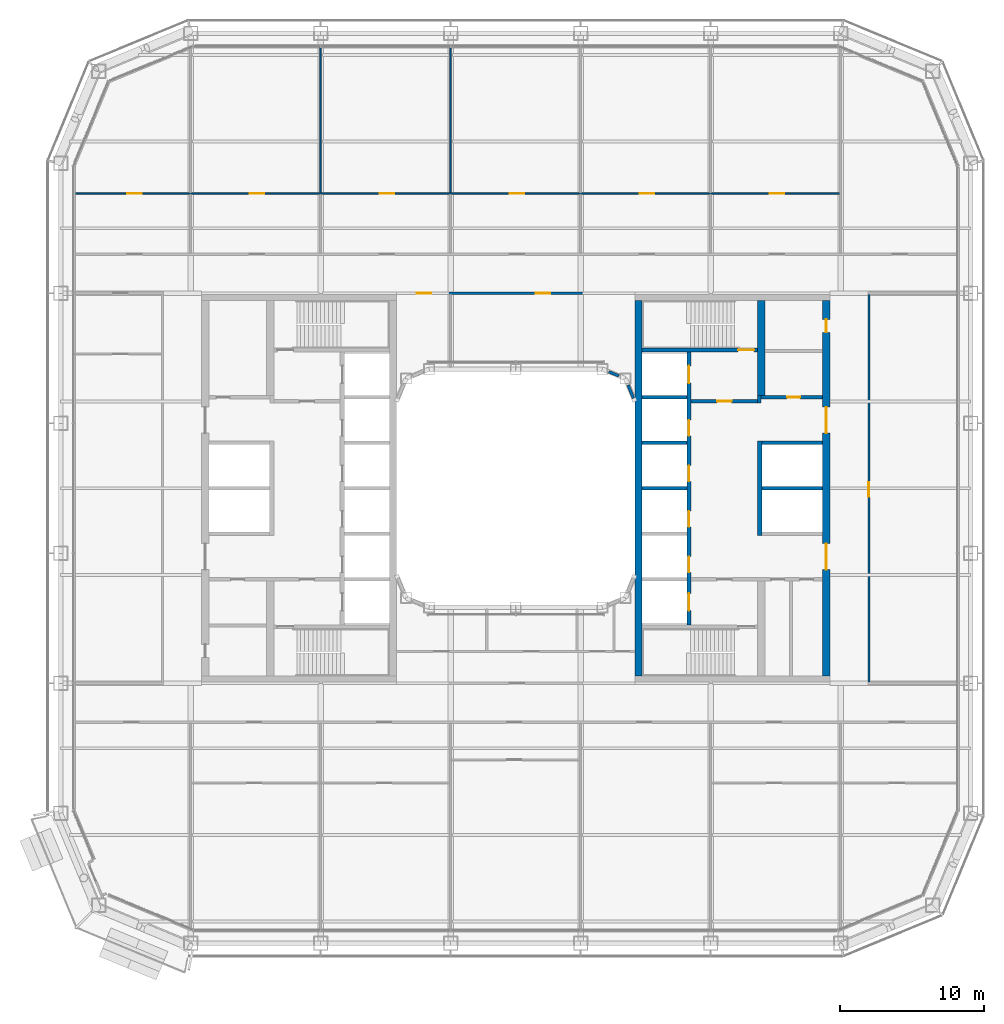
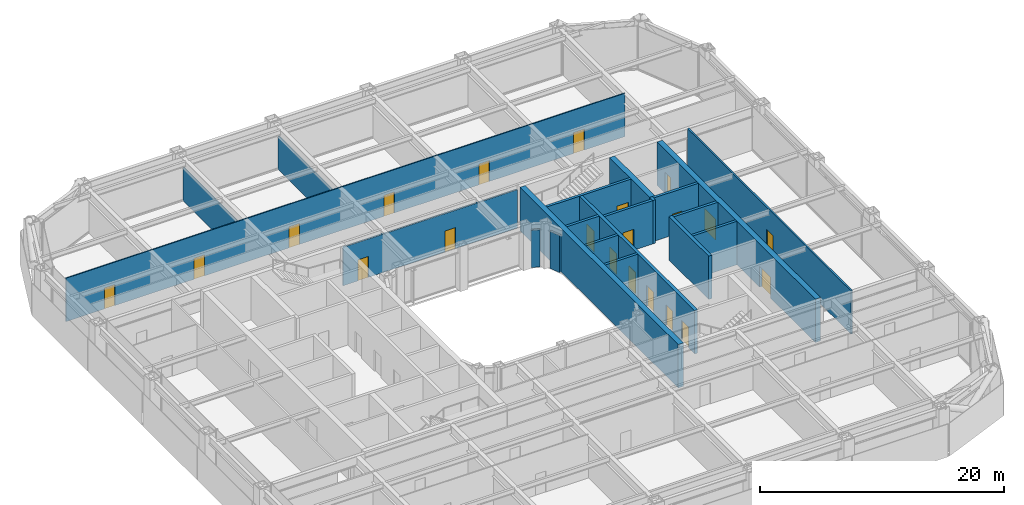
# One storey, part 16 of 27: 21 doors, 21 walls, 21 openings.
"""IFC4 building model written with IfcOpenShell, lengths in metres."""

from ifc_helpers import new_model, si_unit, direction, frame, frame_2d, origin, place, context, subcontext, project, spatial, rectangle, extrude, material, layer, layer_set, type_object, element, fill, save


model = new_model("IFC4")

# Units and contexts
model_context = context("Model", 3, precision=1e-05, world=origin(), true_north=direction((0.0, 1.0)))
body_context = subcontext(model_context, "Body", "Model", "MODEL_VIEW")
ifc_project = project(units=[si_unit("LENGTHUNIT", "METRE"), si_unit("AREAUNIT", "SQUARE_METRE"), si_unit("VOLUMEUNIT", "CUBIC_METRE"), si_unit("PLANEANGLEUNIT", "RADIAN"), si_unit("MASSUNIT", "GRAM", prefix="KILO")], contexts=[model_context])

# Site, building, storey
site_placement = place(None, origin())
site = spatial("IfcSite", under=ifc_project, at=site_placement, CompositionType="ELEMENT")
building_placement = place(site_placement, origin())
building = spatial("IfcBuilding", under=site, at=building_placement, Name="Siwar Civic Tower", CompositionType="ELEMENT")
storey_placement = place(building_placement, frame((0.0, 0.0, 71.699951171875)))
storey = spatial("IfcBuildingStorey", under=building, at=storey_placement, Name="L15", CompositionType="ELEMENT", Elevation=71.699951171875)

# Wall, opening, door
ifc_material_1 = material(Name="Concrete C60/75", Category="concrete")
ifc_layer_1 = layer(ifc_material_1, 0.25)
ifc_layer_set_1 = layer_set([ifc_layer_1], Name="Concrete C60/75")
wall_type_1 = type_object("IfcWallType", Name="CORE-WALL-RC250", PredefinedType="SHEAR", material=ifc_layer_set_1)
wall_1_placement = place(storey_placement, frame((12.14990234375, 6.02490234375, 0.0), z_axis=(0.0, 0.0, 1.0), x_axis=(1.0, 0.0, 0.0)))
wall_1 = element("IfcWall", 1, at=wall_1_placement, inside=storey, type_object=wall_type_1, Name="Core wall E", PredefinedType="SHEAR", context=body_context, shape_type="SweptSolid", body=[
    extrude(rectangle(XDim=4.60009765625, YDim=0.25, at=frame_2d((2.300048828125, 0.0))), origin(), (0.0, 0.0, 1.0), 4.35009765625),
])
opening_1_placement = place(wall_1_placement, frame((1.800048828125, 0.0, 0.0)))
opening_1 = element("IfcOpeningElement", 2, at=opening_1_placement, cuts=wall_1, Name="Opening L15-CE01", PredefinedType="OPENING", context=body_context, shape_type="SweptSolid", body=[
    extrude(rectangle(XDim=1.0, YDim=2.10009765625, at=frame_2d((0.5, 1.050048828125))), frame((0.0, 0.135009765625, 0.0), z_axis=(0.0, -1.0, 0.0), x_axis=(1.0, 0.0, 0.0)), (0.0, 0.0, 1.0), 0.27001953125),
])
ifc_material_2 = material(Name="Steel door leaf", Category="steel")
door_type_1 = type_object("IfcDoorType", Name="CORE-DOOR-FD30S", OperationType="SINGLE_SWING_LEFT", PredefinedType="DOOR", material=ifc_material_2)
door_1_placement = place(opening_1_placement, origin())
door_1 = element("IfcDoor", 3, at=door_1_placement, inside=storey, type_object=door_type_1, Name="Firefighting lobby door L15-CE01", OperationType="SINGLE_SWING_RIGHT", OverallHeight=2.10009765625, OverallWidth=1.0, PredefinedType="DOOR", context=body_context, shape_type="SweptSolid", body=[
    extrude(rectangle(XDim=1.0, YDim=2.10009765625, at=frame_2d((0.5, 1.050048828125))), frame((0.0, 0.02490234375, 0.0), z_axis=(0.0, -1.0, 0.0), x_axis=(1.0, 0.0, 0.0)), (0.0, 0.0, 1.0), 0.050048828125),
])
fill(opening_1, door_1)

# Wall
wall_2_placement = place(storey_placement, frame((16.875, 5.89990234375, 0.0), z_axis=(0.0, 0.0, 1.0), x_axis=(0.0, 1.0, 0.0)))
element("IfcWall", 4, at=wall_2_placement, inside=storey, type_object=wall_type_1, Name="Core wall E", PredefinedType="SHEAR", context=body_context, shape_type="SweptSolid", body=[
    extrude(rectangle(XDim=0.525146484375, YDim=0.25, at=frame_2d((0.2626953125, 0.0))), origin(), (0.0, 0.0, 1.0), 4.35009765625),
])

# Wall, opening, door
wall_3_placement = place(storey_placement, frame((17.0, 6.300048828125, 0.0), z_axis=(0.0, 0.0, 1.0), x_axis=(1.0, 0.0, 0.0)))
wall_3 = element("IfcWall", 5, at=wall_3_placement, inside=storey, type_object=wall_type_1, Name="Core wall E", PredefinedType="SHEAR", context=body_context, shape_type="SweptSolid", body=[
    extrude(rectangle(XDim=4.25, YDim=0.25, at=frame_2d((2.125, 0.0))), origin(), (0.0, 0.0, 1.0), 4.35009765625),
])
opening_2_placement = place(wall_3_placement, frame((1.800048828125, 0.0, 0.0)))
opening_2 = element("IfcOpeningElement", 6, at=opening_2_placement, cuts=wall_3, Name="Opening L15-CE13", PredefinedType="OPENING", context=body_context, shape_type="SweptSolid", body=[
    extrude(rectangle(XDim=0.89990234375, YDim=2.10009765625, at=frame_2d((0.449951171875, 1.050048828125))), frame((0.0, 0.135009765625, 0.0), z_axis=(0.0, -1.0, 0.0), x_axis=(1.0, 0.0, 0.0)), (0.0, 0.0, 1.0), 0.27001953125),
])
ifc_material_3 = material(Name="Steel door leaf", Category="steel")
door_type_2 = type_object("IfcDoorType", Name="CORE-DOOR-ROOM", OperationType="SINGLE_SWING_LEFT", PredefinedType="DOOR", material=ifc_material_3)
door_2_placement = place(opening_2_placement, origin())
door_2 = element("IfcDoor", 7, at=door_2_placement, inside=storey, type_object=door_type_2, Name="Core room door L15-CE13", OperationType="SINGLE_SWING_RIGHT", OverallHeight=2.10009765625, OverallWidth=0.89990234375, PredefinedType="DOOR", context=body_context, shape_type="SweptSolid", body=[
    extrude(rectangle(XDim=0.89990234375, YDim=2.10009765625, at=frame_2d((0.449951171875, 1.050048828125))), frame((0.0, 0.02490234375, 0.0), z_axis=(0.0, -1.0, 0.0), x_axis=(1.0, 0.0, 0.0)), (0.0, 0.0, 1.0), 0.050048828125),
])
fill(opening_2, door_2)

# Walls
for number, where, z_axis, x_axis, name in (
    (8, (17.050048828125, 0.0, 0.0), (0.0, 0.0, 1.0), (1.0, 0.0, 0.0), "Core wall E"),
    (9, (17.050048828125, 3.14990234375, 0.0), (0.0, 0.0, 1.0), (1.0, 0.0, 0.0), "Core wall E"),
):
    element("IfcWall", number, at=place(storey_placement, frame(where, z_axis=z_axis, x_axis=x_axis)), inside=storey, type_object=wall_type_1, Name=name, PredefinedType="SHEAR", context=body_context, shape_type="SweptSolid", body=[
        extrude(rectangle(XDim=4.199951171875, YDim=0.25, at=frame_2d((2.10009765625, 0.0))), origin(), (0.0, 0.0, 1.0), 4.35009765625),
    ])
for number, where, z_axis, x_axis, name in (
    (10, (8.75, 0.0, 0.0), (0.0, 0.0, 1.0), (1.0, 0.0, 0.0), "Core wall E"),
    (11, (8.75, 3.14990234375, 0.0), (0.0, 0.0, 1.0), (1.0, 0.0, 0.0), "Core wall E"),
    (12, (8.75, 6.300048828125, 0.0), (0.0, 0.0, 1.0), (1.0, 0.0, 0.0), "Core wall E"),
):
    element("IfcWall", number, at=place(storey_placement, frame(where, z_axis=z_axis, x_axis=x_axis)), inside=storey, type_object=wall_type_1, Name=name, PredefinedType="SHEAR", context=body_context, shape_type="SweptSolid", body=[
        extrude(rectangle(XDim=3.10009765625, YDim=0.25, at=frame_2d((1.550048828125, 0.0))), origin(), (0.0, 0.0, 1.0), 4.35009765625),
    ])

# Wall, opening, door
wall_4_placement = place(storey_placement, frame((8.75, 9.574951171875, 0.0), z_axis=(0.0, 0.0, 1.0), x_axis=(1.0, 0.0, 0.0)))
wall_4 = element("IfcWall", 13, at=wall_4_placement, inside=storey, type_object=wall_type_1, Name="Core wall E", PredefinedType="SHEAR", context=body_context, shape_type="SweptSolid", body=[
    extrude(rectangle(XDim=8.0, YDim=0.25, at=frame_2d((4.0, 0.0))), origin(), (0.0, 0.0, 1.0), 4.35009765625),
])
opening_3_placement = place(wall_4_placement, frame((6.64990234375, 0.0, 0.0)))
opening_3 = element("IfcOpeningElement", 14, at=opening_3_placement, cuts=wall_4, Name="Opening L15-CE03", PredefinedType="OPENING", context=body_context, shape_type="SweptSolid", body=[
    extrude(rectangle(XDim=1.10009765625, YDim=2.10009765625, at=frame_2d((0.550048828125, 1.050048828125))), frame((0.0, 0.135009765625, 0.0), z_axis=(0.0, -1.0, 0.0), x_axis=(1.0, 0.0, 0.0)), (0.0, 0.0, 1.0), 0.27001953125),
])
ifc_material_4 = material(Name="Steel door leaf", Category="steel")
door_type_3 = type_object("IfcDoorType", Name="CORE-DOOR-FD60S", OperationType="SINGLE_SWING_LEFT", PredefinedType="DOOR", material=ifc_material_4)
door_3_placement = place(opening_3_placement, origin())
door_3 = element("IfcDoor", 15, at=door_3_placement, inside=storey, type_object=door_type_3, Name="Stair door L15-CE03", OperationType="SINGLE_SWING_LEFT", OverallHeight=2.10009765625, OverallWidth=1.10009765625, PredefinedType="DOOR", context=body_context, shape_type="SweptSolid", body=[
    extrude(rectangle(XDim=1.10009765625, YDim=2.10009765625, at=frame_2d((0.550048828125, 1.050048828125))), frame((0.0, 0.02490234375, 0.0), z_axis=(0.0, -1.0, 0.0), x_axis=(1.0, 0.0, 0.0)), (0.0, 0.0, 1.0), 0.050048828125),
])
fill(opening_3, door_3)

# Wall, openings, doors
ifc_material_5 = material(Name="Concrete C60/75", Category="concrete")
ifc_layer_2 = layer(ifc_material_5, 0.300048828125)
ifc_layer_set_2 = layer_set([ifc_layer_2], Name="Concrete C60/75")
wall_type_2 = type_object("IfcWallType", Name="CORE-WALL-RC300", PredefinedType="SHEAR", material=ifc_layer_set_2)
wall_5_placement = place(storey_placement, frame((12.0, -9.449951171875, 0.0), z_axis=(0.0, 0.0, 1.0), x_axis=(0.0, 1.0, 0.0)))
wall_5 = element("IfcWall", 16, at=wall_5_placement, inside=storey, type_object=wall_type_2, Name="Core wall E", PredefinedType="SHEAR", context=body_context, shape_type="SweptSolid", body=[
    extrude(rectangle(XDim=18.89990234375, YDim=0.300048828125, at=frame_2d((9.449951171875, 0.0))), origin(), (0.0, 0.0, 1.0), 4.35009765625),
])
opening_4_placement = place(wall_5_placement, frame((3.625, 0.0, 0.0)))
opening_4 = element("IfcOpeningElement", 17, at=opening_4_placement, cuts=wall_5, Name="Opening L15-CE07", PredefinedType="OPENING", context=body_context, shape_type="SweptSolid", body=[
    extrude(rectangle(XDim=1.10009765625, YDim=2.10009765625, at=frame_2d((0.550048828125, 1.050048828125))), frame((0.0, 0.16015625, 0.0), z_axis=(0.0, -1.0, 0.0), x_axis=(1.0, 0.0, 0.0)), (0.0, 0.0, 1.0), 0.320068359375),
])
opening_5_placement = place(wall_5_placement, frame((6.77490234375, 0.0, 0.0)))
opening_5 = element("IfcOpeningElement", 18, at=opening_5_placement, cuts=wall_5, Name="Opening L15-CE08", PredefinedType="OPENING", context=body_context, shape_type="SweptSolid", body=[
    extrude(rectangle(XDim=1.10009765625, YDim=2.10009765625, at=frame_2d((0.550048828125, 1.050048828125))), frame((0.0, 0.16015625, 0.0), z_axis=(0.0, -1.0, 0.0), x_axis=(1.0, 0.0, 0.0)), (0.0, 0.0, 1.0), 0.320068359375),
])
opening_6_placement = place(wall_5_placement, frame((9.925048828125, 0.0, 0.0)))
opening_6 = element("IfcOpeningElement", 19, at=opening_6_placement, cuts=wall_5, Name="Opening L15-CE09", PredefinedType="OPENING", context=body_context, shape_type="SweptSolid", body=[
    extrude(rectangle(XDim=1.10009765625, YDim=2.10009765625, at=frame_2d((0.550048828125, 1.050048828125))), frame((0.0, 0.16015625, 0.0), z_axis=(0.0, -1.0, 0.0), x_axis=(1.0, 0.0, 0.0)), (0.0, 0.0, 1.0), 0.320068359375),
])
opening_7_placement = place(wall_5_placement, frame((13.074951171875, 0.0, 0.0)))
opening_7 = element("IfcOpeningElement", 20, at=opening_7_placement, cuts=wall_5, Name="Opening L15-CE10", PredefinedType="OPENING", context=body_context, shape_type="SweptSolid", body=[
    extrude(rectangle(XDim=1.10009765625, YDim=2.10009765625, at=frame_2d((0.550048828125, 1.050048828125))), frame((0.0, 0.16015625, 0.0), z_axis=(0.0, -1.0, 0.0), x_axis=(1.0, 0.0, 0.0)), (0.0, 0.0, 1.0), 0.320068359375),
])
opening_8_placement = place(wall_5_placement, frame((16.72509765625, 0.0, 0.0)))
opening_8 = element("IfcOpeningElement", 21, at=opening_8_placement, cuts=wall_5, Name="Opening L15-CE11", PredefinedType="OPENING", context=body_context, shape_type="SweptSolid", body=[
    extrude(rectangle(XDim=1.199951171875, YDim=2.10009765625, at=frame_2d((0.60009765625, 1.050048828125))), frame((0.0, 0.16015625, 0.0), z_axis=(0.0, -1.0, 0.0), x_axis=(1.0, 0.0, 0.0)), (0.0, 0.0, 1.0), 0.320068359375),
])
opening_9_placement = place(wall_5_placement, frame((0.97509765625, 0.0, 0.0)))
opening_9 = element("IfcOpeningElement", 22, at=opening_9_placement, cuts=wall_5, Name="Opening L15-CE12", PredefinedType="OPENING", context=body_context, shape_type="SweptSolid", body=[
    extrude(rectangle(XDim=1.199951171875, YDim=2.10009765625, at=frame_2d((0.60009765625, 1.050048828125))), frame((0.0, 0.16015625, 0.0), z_axis=(0.0, -1.0, 0.0), x_axis=(1.0, 0.0, 0.0)), (0.0, 0.0, 1.0), 0.320068359375),
])
ifc_material_6 = material(Name="Steel door leaf", Category="steel")
door_type_4 = type_object("IfcDoorType", Name="CORE-DOOR-LD", OperationType="DOUBLE_DOOR_SLIDING", PredefinedType="DOOR", material=ifc_material_6)
door_4_placement = place(opening_4_placement, origin())
door_4 = element("IfcDoor", 23, at=door_4_placement, inside=storey, type_object=door_type_4, Name="Landing door LR5 L15-CE07", OperationType="DOUBLE_DOOR_SLIDING", OverallHeight=2.10009765625, OverallWidth=1.10009765625, PredefinedType="DOOR", context=body_context, shape_type="SweptSolid", body=[
    extrude(rectangle(XDim=1.10009765625, YDim=2.10009765625, at=frame_2d((0.550048828125, 1.050048828125))), frame((0.0, 0.02490234375, 0.0), z_axis=(0.0, -1.0, 0.0), x_axis=(1.0, 0.0, 0.0)), (0.0, 0.0, 1.0), 0.050048828125),
])
fill(opening_4, door_4)
door_5_placement = place(opening_5_placement, origin())
door_5 = element("IfcDoor", 24, at=door_5_placement, inside=storey, type_object=door_type_4, Name="Landing door LR6 L15-CE08", OperationType="DOUBLE_DOOR_SLIDING", OverallHeight=2.10009765625, OverallWidth=1.10009765625, PredefinedType="DOOR", context=body_context, shape_type="SweptSolid", body=[
    extrude(rectangle(XDim=1.10009765625, YDim=2.10009765625, at=frame_2d((0.550048828125, 1.050048828125))), frame((0.0, 0.02490234375, 0.0), z_axis=(0.0, -1.0, 0.0), x_axis=(1.0, 0.0, 0.0)), (0.0, 0.0, 1.0), 0.050048828125),
])
fill(opening_5, door_5)
door_6_placement = place(opening_6_placement, origin())
door_6 = element("IfcDoor", 25, at=door_6_placement, inside=storey, type_object=door_type_4, Name="Landing door LR7 L15-CE09", OperationType="DOUBLE_DOOR_SLIDING", OverallHeight=2.10009765625, OverallWidth=1.10009765625, PredefinedType="DOOR", context=body_context, shape_type="SweptSolid", body=[
    extrude(rectangle(XDim=1.10009765625, YDim=2.10009765625, at=frame_2d((0.550048828125, 1.050048828125))), frame((0.0, 0.02490234375, 0.0), z_axis=(0.0, -1.0, 0.0), x_axis=(1.0, 0.0, 0.0)), (0.0, 0.0, 1.0), 0.050048828125),
])
fill(opening_6, door_6)
door_7_placement = place(opening_7_placement, origin())
door_7 = element("IfcDoor", 26, at=door_7_placement, inside=storey, type_object=door_type_4, Name="Landing door LR8 L15-CE10", OperationType="DOUBLE_DOOR_SLIDING", OverallHeight=2.10009765625, OverallWidth=1.10009765625, PredefinedType="DOOR", context=body_context, shape_type="SweptSolid", body=[
    extrude(rectangle(XDim=1.10009765625, YDim=2.10009765625, at=frame_2d((0.550048828125, 1.050048828125))), frame((0.0, 0.02490234375, 0.0), z_axis=(0.0, -1.0, 0.0), x_axis=(1.0, 0.0, 0.0)), (0.0, 0.0, 1.0), 0.050048828125),
])
fill(opening_7, door_7)
ifc_material_7 = material(Name="Steel door leaf", Category="steel")
door_type_5 = type_object("IfcDoorType", Name="CORE-DOOR-LDW", OperationType="DOUBLE_DOOR_SLIDING", PredefinedType="DOOR", material=ifc_material_7)
door_8_placement = place(opening_8_placement, origin())
door_8 = element("IfcDoor", 27, at=door_8_placement, inside=storey, type_object=door_type_5, Name="Landing door FF2 L15-CE11", OperationType="DOUBLE_DOOR_SLIDING", OverallHeight=2.10009765625, OverallWidth=1.199951171875, PredefinedType="DOOR", context=body_context, shape_type="SweptSolid", body=[
    extrude(rectangle(XDim=1.199951171875, YDim=2.10009765625, at=frame_2d((0.60009765625, 1.050048828125))), frame((0.0, 0.02490234375, 0.0), z_axis=(0.0, -1.0, 0.0), x_axis=(1.0, 0.0, 0.0)), (0.0, 0.0, 1.0), 0.050048828125),
])
fill(opening_8, door_8)
door_9_placement = place(opening_9_placement, origin())
door_9 = element("IfcDoor", 28, at=door_9_placement, inside=storey, type_object=door_type_5, Name="Landing door SV2 L15-CE12", OperationType="DOUBLE_DOOR_SLIDING", OverallHeight=2.10009765625, OverallWidth=1.199951171875, PredefinedType="DOOR", context=body_context, shape_type="SweptSolid", body=[
    extrude(rectangle(XDim=1.199951171875, YDim=2.10009765625, at=frame_2d((0.60009765625, 1.050048828125))), frame((0.0, 0.02490234375, 0.0), z_axis=(0.0, -1.0, 0.0), x_axis=(1.0, 0.0, 0.0)), (0.0, 0.0, 1.0), 0.050048828125),
])
fill(opening_9, door_9)

# Wall
wall_6_placement = place(storey_placement, frame((16.89990234375, -3.27490234375, 0.0), z_axis=(0.0, 0.0, 1.0), x_axis=(0.0, 1.0, 0.0)))
element("IfcWall", 29, at=wall_6_placement, inside=storey, type_object=wall_type_2, Name="Core wall E", PredefinedType="SHEAR", context=body_context, shape_type="SweptSolid", body=[
    extrude(rectangle(XDim=6.5498046875, YDim=0.300048828125, at=frame_2d((3.27490234375, 0.0))), origin(), (0.0, 0.0, 1.0), 4.35009765625),
])

# Wall, openings, doors
ifc_material_8 = material(Name="Concrete C60/75", Category="concrete")
ifc_layer_3 = layer(ifc_material_8, 0.5)
ifc_layer_set_3 = layer_set([ifc_layer_3], Name="Concrete C60/75")
wall_type_3 = type_object("IfcWallType", Name="CORE-WALL-RC500", PredefinedType="SHEAR", material=ifc_layer_set_3)
wall_7_placement = place(storey_placement, frame((21.5, -13.0, 0.0), z_axis=(0.0, 0.0, 1.0), x_axis=(0.0, 1.0, 0.0)))
wall_7 = element("IfcWall", 30, at=wall_7_placement, inside=storey, type_object=wall_type_3, Name="Core wall E", PredefinedType="SHEAR", context=body_context, shape_type="SweptSolid", body=[
    extrude(rectangle(XDim=26.0, YDim=0.5, at=frame_2d((13.0, 0.0))), origin(), (0.0, 0.0, 1.0), 4.35009765625),
])
opening_10_placement = place(wall_7_placement, frame((16.824951171875, 0.0, 0.0)))
opening_10 = element("IfcOpeningElement", 31, at=opening_10_placement, cuts=wall_7, Name="Opening L15-CE05", PredefinedType="OPENING", context=body_context, shape_type="SweptSolid", body=[
    extrude(rectangle(XDim=1.800048828125, YDim=2.10009765625, at=frame_2d((0.89990234375, 1.050048828125))), frame((0.0, 0.260009765625, 0.0), z_axis=(0.0, -1.0, 0.0), x_axis=(1.0, 0.0, 0.0)), (0.0, 0.0, 1.0), 0.52001953125),
])
opening_11_placement = place(wall_7_placement, frame((7.375, 0.0, 0.0)))
opening_11 = element("IfcOpeningElement", 32, at=opening_11_placement, cuts=wall_7, Name="Opening L15-CE06", PredefinedType="OPENING", context=body_context, shape_type="SweptSolid", body=[
    extrude(rectangle(XDim=1.800048828125, YDim=2.10009765625, at=frame_2d((0.89990234375, 1.050048828125))), frame((0.0, 0.260009765625, 0.0), z_axis=(0.0, -1.0, 0.0), x_axis=(1.0, 0.0, 0.0)), (0.0, 0.0, 1.0), 0.52001953125),
])
opening_12_placement = place(wall_7_placement, frame((23.800048828125, 0.0, 0.0)))
opening_12 = element("IfcOpeningElement", 33, at=opening_12_placement, cuts=wall_7, Name="Opening L15-CE14", PredefinedType="OPENING", context=body_context, shape_type="SweptSolid", body=[
    extrude(rectangle(XDim=0.89990234375, YDim=2.10009765625, at=frame_2d((0.449951171875, 1.050048828125))), frame((0.0, 0.260009765625, 0.0), z_axis=(0.0, -1.0, 0.0), x_axis=(1.0, 0.0, 0.0)), (0.0, 0.0, 1.0), 0.52001953125),
])
ifc_material_9 = material(Name="Steel door leaf", Category="steel")
door_type_6 = type_object("IfcDoorType", Name="CORE-DOOR-PORT", OperationType="DOUBLE_DOOR_DOUBLE_SWING", PredefinedType="DOOR", material=ifc_material_9)
door_10_placement = place(opening_10_placement, origin())
door_10 = element("IfcDoor", 34, at=door_10_placement, inside=storey, type_object=door_type_6, Name="Core entrance door L15-CE05", OperationType="DOUBLE_DOOR_DOUBLE_SWING", OverallHeight=2.10009765625, OverallWidth=1.800048828125, PredefinedType="DOOR", context=body_context, shape_type="SweptSolid", body=[
    extrude(rectangle(XDim=1.800048828125, YDim=2.10009765625, at=frame_2d((0.89990234375, 1.050048828125))), frame((0.0, 0.02490234375, 0.0), z_axis=(0.0, -1.0, 0.0), x_axis=(1.0, 0.0, 0.0)), (0.0, 0.0, 1.0), 0.050048828125),
])
fill(opening_10, door_10)
door_11_placement = place(opening_11_placement, origin())
door_11 = element("IfcDoor", 35, at=door_11_placement, inside=storey, type_object=door_type_6, Name="Core entrance door L15-CE06", OperationType="DOUBLE_DOOR_DOUBLE_SWING", OverallHeight=2.10009765625, OverallWidth=1.800048828125, PredefinedType="DOOR", context=body_context, shape_type="SweptSolid", body=[
    extrude(rectangle(XDim=1.800048828125, YDim=2.10009765625, at=frame_2d((0.89990234375, 1.050048828125))), frame((0.0, 0.02490234375, 0.0), z_axis=(0.0, -1.0, 0.0), x_axis=(1.0, 0.0, 0.0)), (0.0, 0.0, 1.0), 0.050048828125),
])
fill(opening_11, door_11)
door_12_placement = place(opening_12_placement, origin())
door_12 = element("IfcDoor", 36, at=door_12_placement, inside=storey, type_object=door_type_2, Name="Core room door L15-CE14", OperationType="SINGLE_SWING_RIGHT", OverallHeight=2.10009765625, OverallWidth=0.89990234375, PredefinedType="DOOR", context=body_context, shape_type="SweptSolid", body=[
    extrude(rectangle(XDim=0.89990234375, YDim=2.10009765625, at=frame_2d((0.449951171875, 1.050048828125))), frame((0.0, 0.02490234375, 0.0), z_axis=(0.0, -1.0, 0.0), x_axis=(1.0, 0.0, 0.0)), (0.0, 0.0, 1.0), 0.050048828125),
])
fill(opening_12, door_12)

# Walls
wall_8_placement = place(storey_placement, frame((17.0, 6.425048828125, 0.0), z_axis=(0.0, 0.0, 1.0), x_axis=(0.0, 1.0, 0.0)))
element("IfcWall", 37, at=wall_8_placement, inside=storey, type_object=wall_type_3, Name="Core wall E", PredefinedType="SHEAR", context=body_context, shape_type="SweptSolid", body=[
    extrude(rectangle(XDim=6.574951171875, YDim=0.5, at=frame_2d((3.28759765625, 0.0))), origin(), (0.0, 0.0, 1.0), 4.35009765625),
])
ifc_material_10 = material(Name="Concrete C60/75", Category="concrete")
ifc_layer_4 = layer(ifc_material_10, 0.5)
ifc_layer_set_4 = layer_set([ifc_layer_4], Name="Concrete C60/75")
wall_type_4 = type_object("IfcWallType", Name="CORE-WALL-RC500-EXT", PredefinedType="SHEAR", material=ifc_layer_set_4)
wall_9_placement = place(storey_placement, frame((8.5, -13.0, 0.0), z_axis=(0.0, 0.0, 1.0), x_axis=(0.0, 1.0, 0.0)))
element("IfcWall", 38, at=wall_9_placement, inside=storey, type_object=wall_type_4, Name="Core wall E", PredefinedType="SHEAR", context=body_context, shape_type="SweptSolid", body=[
    extrude(rectangle(XDim=26.0, YDim=0.5, at=frame_2d((13.0, 0.0))), origin(), (0.0, 0.0, 1.0), 4.35009765625),
])

# Wall, openings, doors
ifc_material_11 = material(Name="Gypsum board on steel studs", Category="steel")
ifc_layer_5 = layer(ifc_material_11, 0.14990234375)
ifc_layer_set_5 = layer_set([ifc_layer_5], Name="Gypsum board on steel studs")
wall_type_5 = type_object("IfcWallType", Name="CORRIDOR PARTITION 150 EI 30", PredefinedType="PARTITIONING", material=ifc_layer_set_5)
wall_10_placement = place(storey_placement, frame((-8.25, 13.5, 0.0), z_axis=(0.0, 0.0, 1.0), x_axis=(1.0, 0.0, 0.0)))
wall_10 = element("IfcWall", 39, at=wall_10_placement, inside=storey, type_object=wall_type_5, Name="L15/wall/P12", PredefinedType="PARTITIONING", context=body_context, shape_type="SweptSolid", body=[
    extrude(rectangle(XDim=16.5, YDim=0.14990234375, at=frame_2d((8.25, 0.0))), origin(), (0.0, 0.0, 1.0), 3.85009765625),
])
opening_13_placement = place(wall_10_placement, frame((1.39990234375, 0.0, 0.0)))
opening_13 = element("IfcOpeningElement", 40, at=opening_13_placement, cuts=wall_10, Name="Opening D1", PredefinedType="OPENING", context=body_context, shape_type="SweptSolid", body=[
    extrude(rectangle(XDim=1.0, YDim=2.10009765625, at=frame_2d((0.5, 1.050048828125))), frame((0.0, 0.0849609375, 0.0), z_axis=(0.0, -1.0, 0.0), x_axis=(1.0, 0.0, 0.0)), (0.0, 0.0, 1.0), 0.169921875),
])
opening_14_placement = place(wall_10_placement, frame((9.64990234375, 0.0, 0.0)))
opening_14 = element("IfcOpeningElement", 41, at=opening_14_placement, cuts=wall_10, Name="Opening D1", PredefinedType="OPENING", context=body_context, shape_type="SweptSolid", body=[
    extrude(rectangle(XDim=1.0, YDim=2.10009765625, at=frame_2d((0.5, 1.050048828125))), frame((0.0, 0.0849609375, 0.0), z_axis=(0.0, -1.0, 0.0), x_axis=(1.0, 0.0, 0.0)), (0.0, 0.0, 1.0), 0.169921875),
])
ifc_material_12 = material(Name="Timber, painted", Category="wood")
door_type_7 = type_object("IfcDoorType", Name="DOOR 1000 X 2100 FD30", OperationType="SINGLE_SWING_LEFT", PredefinedType="DOOR", material=ifc_material_12)
door_13_placement = place(opening_13_placement, origin())
door_13 = element("IfcDoor", 42, at=door_13_placement, inside=storey, type_object=door_type_7, Name="L15-D29", OperationType="SINGLE_SWING_LEFT", OverallHeight=2.10009765625, OverallWidth=1.0, PredefinedType="DOOR", context=body_context, shape_type="SweptSolid", body=[
    extrude(rectangle(XDim=1.0, YDim=2.10009765625, at=frame_2d((0.5, 1.050048828125))), frame((0.0, 0.02490234375, 0.0), z_axis=(0.0, -1.0, 0.0), x_axis=(1.0, 0.0, 0.0)), (0.0, 0.0, 1.0), 0.050048828125),
])
fill(opening_13, door_13)
door_14_placement = place(opening_14_placement, origin())
door_14 = element("IfcDoor", 43, at=door_14_placement, inside=storey, type_object=door_type_7, Name="L15-D30", OperationType="SINGLE_SWING_RIGHT", OverallHeight=2.10009765625, OverallWidth=1.0, PredefinedType="DOOR", context=body_context, shape_type="SweptSolid", body=[
    extrude(rectangle(XDim=1.0, YDim=2.10009765625, at=frame_2d((0.5, 1.050048828125))), frame((0.0, 0.02490234375, 0.0), z_axis=(0.0, -1.0, 0.0), x_axis=(1.0, 0.0, 0.0)), (0.0, 0.0, 1.0), 0.050048828125),
])
fill(opening_14, door_14)

# Wall, opening, door
wall_11_placement = place(storey_placement, frame((24.449951171875, -13.425048828125, 0.0), z_axis=(0.0, 0.0, 1.0), x_axis=(0.0, 1.0, 0.0)))
wall_11 = element("IfcWall", 44, at=wall_11_placement, inside=storey, type_object=wall_type_5, Name="L15/wall/P40", PredefinedType="PARTITIONING", context=body_context, shape_type="SweptSolid", body=[
    extrude(rectangle(XDim=26.85009765625, YDim=0.14990234375, at=frame_2d((13.425048828125, 0.0))), origin(), (0.0, 0.0, 1.0), 4.35009765625),
])
opening_15_placement = place(wall_11_placement, frame((12.824951171875, 0.0, 0.0)))
opening_15 = element("IfcOpeningElement", 45, at=opening_15_placement, cuts=wall_11, Name="Opening D1", PredefinedType="OPENING", context=body_context, shape_type="SweptSolid", body=[
    extrude(rectangle(XDim=1.0, YDim=2.10009765625, at=frame_2d((0.5, 1.050048828125))), frame((0.0, 0.0849609375, 0.0), z_axis=(0.0, -1.0, 0.0), x_axis=(1.0, 0.0, 0.0)), (0.0, 0.0, 1.0), 0.169921875),
])
door_15_placement = place(opening_15_placement, origin())
door_15 = element("IfcDoor", 46, at=door_15_placement, inside=storey, type_object=door_type_7, Name="L15-D28", OperationType="SINGLE_SWING_RIGHT", OverallHeight=2.10009765625, OverallWidth=1.0, PredefinedType="DOOR", context=body_context, shape_type="SweptSolid", body=[
    extrude(rectangle(XDim=1.0, YDim=2.10009765625, at=frame_2d((0.5, 1.050048828125))), frame((0.0, 0.02490234375, 0.0), z_axis=(0.0, -1.0, 0.0), x_axis=(1.0, 0.0, 0.0)), (0.0, 0.0, 1.0), 0.050048828125),
])
fill(opening_15, door_15)

# Walls
ifc_material_13 = material(Name="Aluminium clad insulated panel", Category="aluminium")
ifc_layer_6 = layer(ifc_material_13, 0.199951171875)
ifc_layer_set_6 = layer_set([ifc_layer_6], Name="Aluminium clad insulated panel")
wall_type_6 = type_object("IfcWallType", Name="ENV-WALL-WELL", PredefinedType="STANDARD", material=ifc_layer_set_6)
wall_12_placement = place(storey_placement, frame((8.154296875, 6.23095703125, 0.0), z_axis=(0.0, 0.0, 1.0), x_axis=(-0.382549378284, 0.923935048136, 0.0)))
element("IfcWall", 47, at=wall_12_placement, inside=storey, type_object=wall_type_6, Name="Light well corner wall NE1", PredefinedType="STANDARD", context=body_context, shape_type="SweptSolid", body=[
    extrude(rectangle(XDim=0.982177734375, YDim=0.199951171875, at=frame_2d((0.4912109375, 0.0))), origin(), (0.0, 0.0, 1.0), 3.72998046875),
])
wall_13_placement = place(storey_placement, frame((7.138427734375, 7.778564453125, 0.0), z_axis=(0.0, 0.0, 1.0), x_axis=(-0.923940677943, 0.382535780864, 0.0)))
element("IfcWall", 48, at=wall_13_placement, inside=storey, type_object=wall_type_6, Name="Light well corner wall NE2", PredefinedType="STANDARD", context=body_context, shape_type="SweptSolid", body=[
    extrude(rectangle(XDim=0.7421875, YDim=0.199951171875, at=frame_2d((0.37109375, 0.0))), origin(), (0.0, 0.0, 1.0), 3.72998046875),
])

# Wall, openings, doors
ifc_material_14 = material(Name="Gypsum board on steel studs", Category="steel")
ifc_layer_7 = layer(ifc_material_14, 0.10009765625)
ifc_layer_set_7 = layer_set([ifc_layer_7], Name="Gypsum board on steel studs")
wall_type_7 = type_object("IfcWallType", Name="PARTITION 100 GYPSUM", PredefinedType="PARTITIONING", material=ifc_layer_set_7)
wall_14_placement = place(storey_placement, frame((-30.510009765625, 20.39990234375, 0.0), z_axis=(0.0, 0.0, 1.0), x_axis=(1.0, 0.0, 0.0)))
wall_14 = element("IfcWall", 49, at=wall_14_placement, inside=storey, type_object=wall_type_7, Name="L15/wall/P15", PredefinedType="PARTITIONING", context=body_context, shape_type="SweptSolid", body=[
    extrude(rectangle(XDim=52.9599609375, YDim=0.10009765625, at=frame_2d((26.47998046875, 0.0))), origin(), (0.0, 0.0, 1.0), 4.35009765625),
])
opening_16_placement = place(wall_14_placement, frame((12.110107421875, 0.0, 0.0)))
opening_16 = element("IfcOpeningElement", 50, at=opening_16_placement, cuts=wall_14, Name="Opening D2", PredefinedType="OPENING", context=body_context, shape_type="SweptSolid", body=[
    extrude(rectangle(XDim=1.0, YDim=2.10009765625, at=frame_2d((0.5, 1.050048828125))), frame((0.0, 0.06005859375, 0.0), z_axis=(0.0, -1.0, 0.0), x_axis=(1.0, 0.0, 0.0)), (0.0, 0.0, 1.0), 0.1201171875),
])
opening_17_placement = place(wall_14_placement, frame((21.110107421875, 0.0, 0.0)))
opening_17 = element("IfcOpeningElement", 51, at=opening_17_placement, cuts=wall_14, Name="Opening D2", PredefinedType="OPENING", context=body_context, shape_type="SweptSolid", body=[
    extrude(rectangle(XDim=1.0, YDim=2.10009765625, at=frame_2d((0.5, 1.050048828125))), frame((0.0, 0.06005859375, 0.0), z_axis=(0.0, -1.0, 0.0), x_axis=(1.0, 0.0, 0.0)), (0.0, 0.0, 1.0), 0.1201171875),
])
opening_18_placement = place(wall_14_placement, frame((30.110107421875, 0.0, 0.0)))
opening_18 = element("IfcOpeningElement", 52, at=opening_18_placement, cuts=wall_14, Name="Opening D2", PredefinedType="OPENING", context=body_context, shape_type="SweptSolid", body=[
    extrude(rectangle(XDim=1.0, YDim=2.10009765625, at=frame_2d((0.5, 1.050048828125))), frame((0.0, 0.06005859375, 0.0), z_axis=(0.0, -1.0, 0.0), x_axis=(1.0, 0.0, 0.0)), (0.0, 0.0, 1.0), 0.1201171875),
])
opening_19_placement = place(wall_14_placement, frame((39.110107421875, 0.0, 0.0)))
opening_19 = element("IfcOpeningElement", 53, at=opening_19_placement, cuts=wall_14, Name="Opening D2", PredefinedType="OPENING", context=body_context, shape_type="SweptSolid", body=[
    extrude(rectangle(XDim=1.0, YDim=2.10009765625, at=frame_2d((0.5, 1.050048828125))), frame((0.0, 0.06005859375, 0.0), z_axis=(0.0, -1.0, 0.0), x_axis=(1.0, 0.0, 0.0)), (0.0, 0.0, 1.0), 0.1201171875),
])
opening_20_placement = place(wall_14_placement, frame((48.110107421875, 0.0, 0.0)))
opening_20 = element("IfcOpeningElement", 54, at=opening_20_placement, cuts=wall_14, Name="Opening D2", PredefinedType="OPENING", context=body_context, shape_type="SweptSolid", body=[
    extrude(rectangle(XDim=1.0, YDim=2.10009765625, at=frame_2d((0.5, 1.050048828125))), frame((0.0, 0.06005859375, 0.0), z_axis=(0.0, -1.0, 0.0), x_axis=(1.0, 0.0, 0.0)), (0.0, 0.0, 1.0), 0.1201171875),
])
opening_21_placement = place(wall_14_placement, frame((3.610107421875, 0.0, 0.0)))
opening_21 = element("IfcOpeningElement", 55, at=opening_21_placement, cuts=wall_14, Name="Opening D2", PredefinedType="OPENING", context=body_context, shape_type="SweptSolid", body=[
    extrude(rectangle(XDim=1.0, YDim=2.10009765625, at=frame_2d((0.5, 1.050048828125))), frame((0.0, 0.06005859375, 0.0), z_axis=(0.0, -1.0, 0.0), x_axis=(1.0, 0.0, 0.0)), (0.0, 0.0, 1.0), 0.1201171875),
])
ifc_material_15 = material(Name="Timber, painted", Category="wood")
door_type_8 = type_object("IfcDoorType", Name="DOOR 1000 X 2100", OperationType="SINGLE_SWING_LEFT", PredefinedType="DOOR", material=ifc_material_15)
door_16_placement = place(opening_16_placement, origin())
door_16 = element("IfcDoor", 56, at=door_16_placement, inside=storey, type_object=door_type_8, Name="L15-D02", OperationType="SINGLE_SWING_RIGHT", OverallHeight=2.10009765625, OverallWidth=1.0, PredefinedType="DOOR", context=body_context, shape_type="SweptSolid", body=[
    extrude(rectangle(XDim=1.0, YDim=2.10009765625, at=frame_2d((0.5, 1.050048828125))), frame((0.0, 0.02490234375, 0.0), z_axis=(0.0, -1.0, 0.0), x_axis=(1.0, 0.0, 0.0)), (0.0, 0.0, 1.0), 0.050048828125),
])
fill(opening_16, door_16)
door_17_placement = place(opening_17_placement, origin())
door_17 = element("IfcDoor", 57, at=door_17_placement, inside=storey, type_object=door_type_8, Name="L15-D04", OperationType="SINGLE_SWING_RIGHT", OverallHeight=2.10009765625, OverallWidth=1.0, PredefinedType="DOOR", context=body_context, shape_type="SweptSolid", body=[
    extrude(rectangle(XDim=1.0, YDim=2.10009765625, at=frame_2d((0.5, 1.050048828125))), frame((0.0, 0.02490234375, 0.0), z_axis=(0.0, -1.0, 0.0), x_axis=(1.0, 0.0, 0.0)), (0.0, 0.0, 1.0), 0.050048828125),
])
fill(opening_17, door_17)
door_18_placement = place(opening_18_placement, origin())
door_18 = element("IfcDoor", 58, at=door_18_placement, inside=storey, type_object=door_type_8, Name="L15-D06", OperationType="SINGLE_SWING_RIGHT", OverallHeight=2.10009765625, OverallWidth=1.0, PredefinedType="DOOR", context=body_context, shape_type="SweptSolid", body=[
    extrude(rectangle(XDim=1.0, YDim=2.10009765625, at=frame_2d((0.5, 1.050048828125))), frame((0.0, 0.02490234375, 0.0), z_axis=(0.0, -1.0, 0.0), x_axis=(1.0, 0.0, 0.0)), (0.0, 0.0, 1.0), 0.050048828125),
])
fill(opening_18, door_18)
door_19_placement = place(opening_19_placement, origin())
door_19 = element("IfcDoor", 59, at=door_19_placement, inside=storey, type_object=door_type_8, Name="L15-D08", OperationType="SINGLE_SWING_RIGHT", OverallHeight=2.10009765625, OverallWidth=1.0, PredefinedType="DOOR", context=body_context, shape_type="SweptSolid", body=[
    extrude(rectangle(XDim=1.0, YDim=2.10009765625, at=frame_2d((0.5, 1.050048828125))), frame((0.0, 0.02490234375, 0.0), z_axis=(0.0, -1.0, 0.0), x_axis=(1.0, 0.0, 0.0)), (0.0, 0.0, 1.0), 0.050048828125),
])
fill(opening_19, door_19)
door_20_placement = place(opening_20_placement, origin())
door_20 = element("IfcDoor", 60, at=door_20_placement, inside=storey, type_object=door_type_8, Name="L15-D10", OperationType="SINGLE_SWING_RIGHT", OverallHeight=2.10009765625, OverallWidth=1.0, PredefinedType="DOOR", context=body_context, shape_type="SweptSolid", body=[
    extrude(rectangle(XDim=1.0, YDim=2.10009765625, at=frame_2d((0.5, 1.050048828125))), frame((0.0, 0.02490234375, 0.0), z_axis=(0.0, -1.0, 0.0), x_axis=(1.0, 0.0, 0.0)), (0.0, 0.0, 1.0), 0.050048828125),
])
fill(opening_20, door_20)
door_21_placement = place(opening_21_placement, origin())
door_21 = element("IfcDoor", 61, at=door_21_placement, inside=storey, type_object=door_type_8, Name="L15-D21", OperationType="SINGLE_SWING_LEFT", OverallHeight=2.10009765625, OverallWidth=1.0, PredefinedType="DOOR", context=body_context, shape_type="SweptSolid", body=[
    extrude(rectangle(XDim=1.0, YDim=2.10009765625, at=frame_2d((0.5, 1.050048828125))), frame((0.0, 0.02490234375, 0.0), z_axis=(0.0, -1.0, 0.0), x_axis=(1.0, 0.0, 0.0)), (0.0, 0.0, 1.0), 0.050048828125),
])
fill(opening_21, door_21)

# Walls
for number, where, z_axis, x_axis, name in (
    (62, (-13.5, 20.449951171875, 0.0), (0.0, 0.0, 1.0), (0.0, 1.0, 0.0), "L15/wall/P23"),
    (63, (-4.5, 20.449951171875, 0.0), (0.0, 0.0, 1.0), (0.0, 1.0, 0.0), "L15/wall/P27"),
):
    element("IfcWall", number, at=place(storey_placement, frame(where, z_axis=z_axis, x_axis=x_axis)), inside=storey, type_object=wall_type_7, Name=name, PredefinedType="PARTITIONING", context=body_context, shape_type="SweptSolid", body=[
        extrude(rectangle(XDim=10.06005859375, YDim=0.10009765625, at=frame_2d((5.030029296875, 0.0))), origin(), (0.0, 0.0, 1.0), 3.35009765625),
    ])

save(model, "model.ifc")
